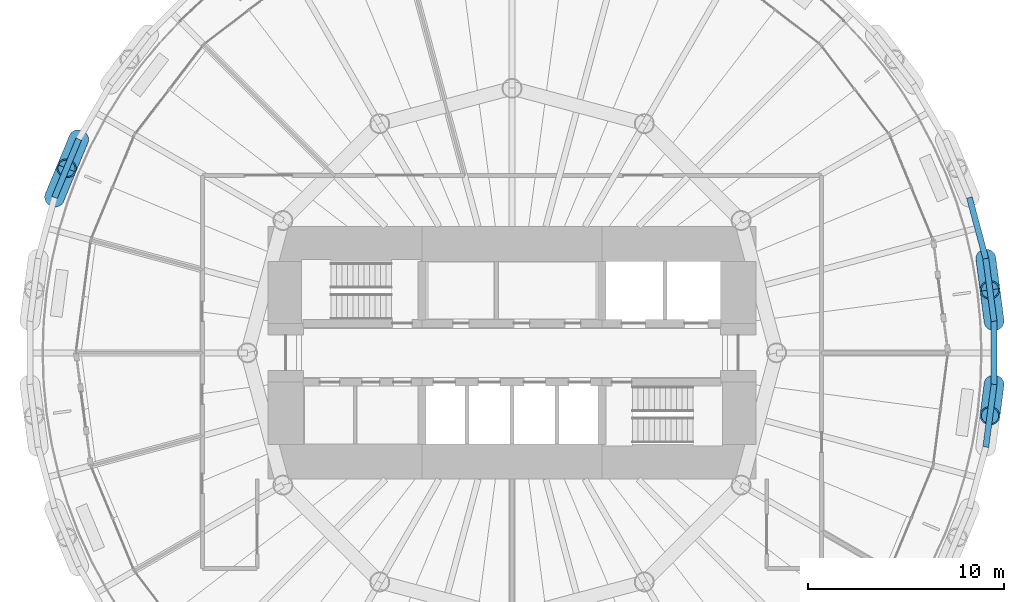
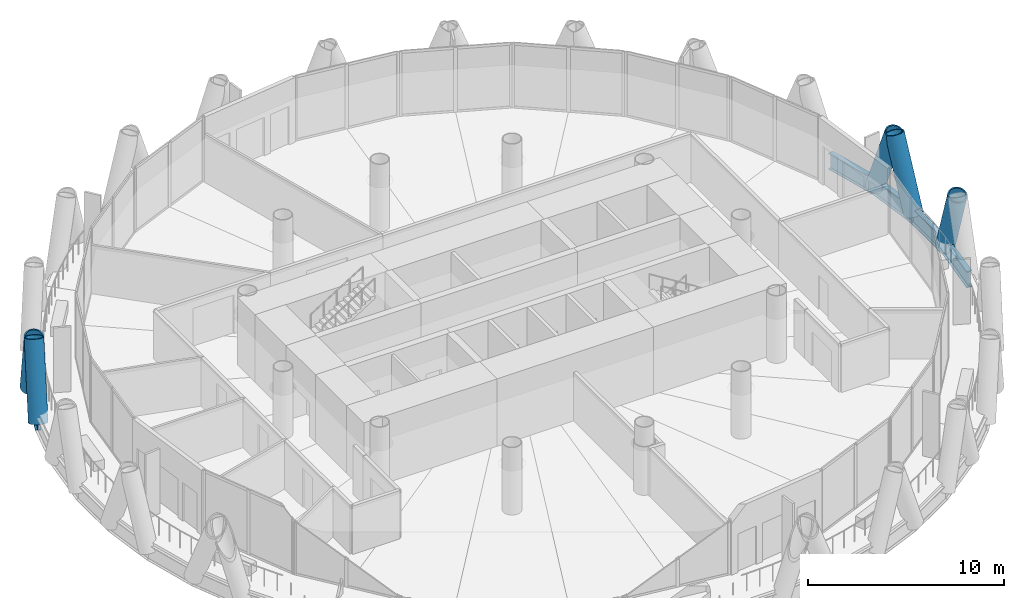
# One storey, part 5 of 15: 5 beams, 5 members.
"""IFC4 building model written with IfcOpenShell, lengths in metres."""

from ifc_helpers import new_model, si_unit, direction, frame, origin, origin_2d, place, context, subcontext, project, spatial, hollow_circle, i_section, extrude, material, material_profile, profile_set, type_object, element, save


model = new_model("IFC4")

# Units and contexts
model_context = context("Model", 3, precision=1e-05, world=origin(), true_north=direction((0.0, 1.0)))
body_context = subcontext(model_context, "Body", "Model", "MODEL_VIEW")
ifc_project = project(units=[si_unit("LENGTHUNIT", "METRE"), si_unit("AREAUNIT", "SQUARE_METRE"), si_unit("VOLUMEUNIT", "CUBIC_METRE"), si_unit("PLANEANGLEUNIT", "RADIAN"), si_unit("MASSUNIT", "GRAM", prefix="KILO")], contexts=[model_context])

# Site, building, storey
site_placement = place(None, origin())
site = spatial("IfcSite", under=ifc_project, at=site_placement, CompositionType="ELEMENT")
building_placement = place(site_placement, origin())
building = spatial("IfcBuilding", under=site, at=building_placement, Name="Qaws Media Tower", CompositionType="ELEMENT")
storey_placement = place(building_placement, frame((0.0, 0.0, 164.60009765625)))
storey = spatial("IfcBuildingStorey", under=building, at=storey_placement, Name="L37", CompositionType="ELEMENT", Elevation=164.60009765625)

# Members
ifc_material_1 = material(Name="Steel S460", Category="steel")
ifc_material_profile_1 = material_profile(ifc_material_1, hollow_circle(Radius=0.508056640625, WallThickness=0.070068359375, at=origin_2d()), Name="CHS 1016x70")
ifc_profile_set_1 = profile_set([ifc_material_profile_1], Name="Steel S460")
member_type = type_object("IfcMemberType", Name="Diagrid member CHS 1016x70", PredefinedType="USERDEFINED", material=ifc_profile_set_1)
for number, where, z_axis, x_axis, name in (
    (1, (84.59716796875, 51.6123046875, -0.6640625), (-0.046128800978, 0.355354575065, 0.933592662621), (-0.991679607789, -0.128730553852, 0.0), "DG3 diagrid L37 A01"),
    (2, (84.59716796875, 48.3876953125, -0.6640625), (-0.046128800978, -0.355354575065, 0.933592662621), (0.991679607789, -0.128730553852, 0.0), "DG3 diagrid L37 B01"),
    (3, (84.17626953125, 54.80908203125, -0.6640625), (0.047430200457, -0.355238091749, 0.933571783129), (0.991204080377, 0.132342249656, 0.0), "DG3 diagrid L37 B02"),
    (4, (37.89208984375, 60.90234375, -0.6640625), (-0.137734390717, -0.330823028294, 0.933587361506), (0.923184419081, -0.38435729259, 0.0), "DG3 diagrid L37 A11"),
    (5, (36.658203125, 57.923583984375, -0.6640625), (0.136540752856, 0.3313121209, 0.933589257304), (-0.924562008654, 0.381031615688, 0.0), "DG3 diagrid L37 B12"),
):
    element("IfcMember", number, at=place(storey_placement, frame(where, z_axis=z_axis, x_axis=x_axis)), inside=storey, type_object=member_type, Name=name, ObjectType="DIAGRID", PredefinedType="USERDEFINED", context=body_context, shape_type="SweptSolid", body=[
        extrude(hollow_circle(Radius=0.508056640625, WallThickness=0.070068359375, at=origin_2d()), origin(), (0.0, 0.0, 1.0), 4.498779296875),
    ])

# Beams
ifc_material_2 = material(Name="Steel S460", Category="steel")
ifc_material_profile_2 = material_profile(ifc_material_2, i_section(OverallWidth=0.302001953125, OverallDepth=1.008056640625, WebThickness=0.02099609375, FlangeThickness=0.0400390625, FilletRadius=0.030029296875, at=origin_2d()), Name="HE 1000 M")
ifc_profile_set_2 = profile_set([ifc_material_profile_2], Name="Steel S460")
beam_type = type_object("IfcBeamType", Name="Edge ring beam HE 1000 M", PredefinedType="BEAM", material=ifc_profile_set_2)
for number, where, z_axis, x_axis, name in (
    (6, (84.59716796875, 51.6123046875, -0.6640625), (-0.130536775533, 0.991443467997, 0.0), (-0.991443467997, -0.130536775533, 0.0), "RB3 edge ring beam L37-01"),
    (7, (84.17626953125, 54.80908203125, -0.6640625), (-0.258802948634, 0.965930139181, 0.0), (-0.965930139181, -0.258802948634, 0.0), "RB3 edge ring beam L37-02"),
):
    element("IfcBeam", number, at=place(storey_placement, frame(where, z_axis=z_axis, x_axis=x_axis)), inside=storey, type_object=beam_type, Name=name, PredefinedType="BEAM", context=body_context, shape_type="SweptSolid", body=[
        extrude(i_section(OverallWidth=0.302001953125, OverallDepth=1.008056640625, WebThickness=0.02099609375, FlangeThickness=0.0400390625, FilletRadius=0.030029296875, at=origin_2d()), origin(), (0.0, 0.0, 1.0), 3.224365234375),
    ])
beam_1_placement = place(storey_placement, frame((37.89208984375, 60.90234375, -0.6640625), z_axis=(-0.382695087151, -0.923874704855, 0.0), x_axis=(0.923874704855, -0.382695087151, 0.0)))
element("IfcBeam", 8, at=beam_1_placement, inside=storey, type_object=beam_type, Name="RB3 edge ring beam L37-21", PredefinedType="BEAM", context=body_context, shape_type="SweptSolid", body=[
    extrude(i_section(OverallWidth=0.302001953125, OverallDepth=1.008056640625, WebThickness=0.02099609375, FlangeThickness=0.0400390625, FilletRadius=0.030029296875, at=origin_2d()), origin(), (0.0, 0.0, 1.0), 3.22412109375),
])
beam_2_placement = place(storey_placement, frame((84.17626953125, 45.19091796875, -0.6640625), z_axis=(0.130536775533, 0.991443467997, 0.0), x_axis=(-0.991443467997, 0.130536775533, 0.0)))
element("IfcBeam", 9, at=beam_2_placement, inside=storey, type_object=beam_type, Name="RB3 edge ring beam L37-47", PredefinedType="BEAM", context=body_context, shape_type="SweptSolid", body=[
    extrude(i_section(OverallWidth=0.302001953125, OverallDepth=1.008056640625, WebThickness=0.02099609375, FlangeThickness=0.0400390625, FilletRadius=0.030029296875, at=origin_2d()), origin(), (0.0, 0.0, 1.0), 3.224365234375),
])
beam_3_placement = place(storey_placement, frame((84.59716796875, 48.3876953125, -0.6640625), z_axis=(0.0, 1.0, 0.0), x_axis=(-1.0, 0.0, 0.0)))
element("IfcBeam", 10, at=beam_3_placement, inside=storey, type_object=beam_type, Name="RB3 edge ring beam L37-48", PredefinedType="BEAM", context=body_context, shape_type="SweptSolid", body=[
    extrude(i_section(OverallWidth=0.302001953125, OverallDepth=1.008056640625, WebThickness=0.02099609375, FlangeThickness=0.0400390625, FilletRadius=0.030029296875, at=origin_2d()), origin(), (0.0, 0.0, 1.0), 3.224609375),
])

save(model, "model.ifc")
